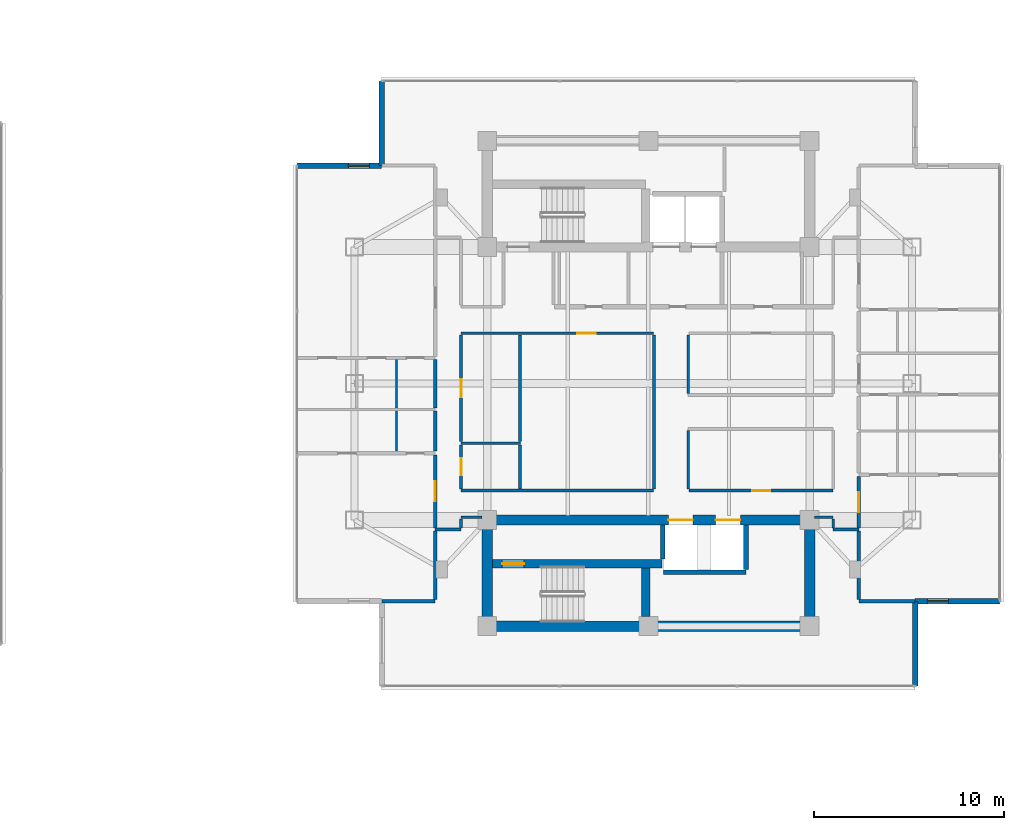
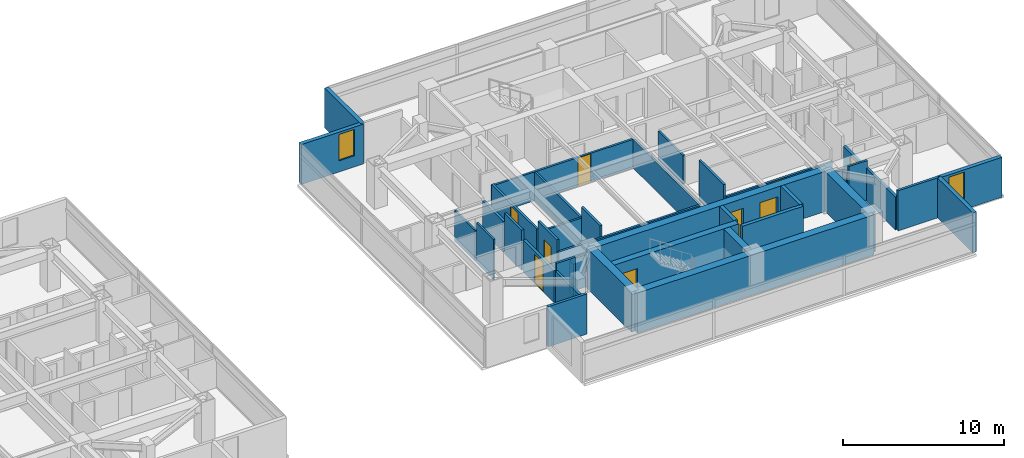
# One storey, part 16 of 25: 40 walls, 9 doors, 2 windows, 11 openings.
"""IFC4 building model written with IfcOpenShell, lengths in metres."""

from ifc_helpers import new_model, si_unit, direction, frame, frame_2d, origin, place, context, subcontext, project, spatial, rectangle, extrude, material, layer, layer_set, type_object, element, fill, save


model = new_model("IFC4")

# Units and contexts
model_context = context("Model", 3, precision=1e-05, world=origin(), true_north=direction((0.0, 1.0)))
body_context = subcontext(model_context, "Body", "Model", "MODEL_VIEW")
ifc_project = project(units=[si_unit("LENGTHUNIT", "METRE"), si_unit("AREAUNIT", "SQUARE_METRE"), si_unit("VOLUMEUNIT", "CUBIC_METRE"), si_unit("PLANEANGLEUNIT", "RADIAN"), si_unit("MASSUNIT", "GRAM", prefix="KILO")], contexts=[model_context])

# Site, building, storey
site_placement = place(None, origin())
site = spatial("IfcSite", under=ifc_project, at=site_placement, CompositionType="ELEMENT")
building_placement = place(site_placement, origin())
building = spatial("IfcBuilding", under=site, at=building_placement, Name="Mirazonda Arch Towers", CompositionType="ELEMENT")
storey_placement = place(building_placement, frame((0.0, 0.0, 180.39990234375)))
storey = spatial("IfcBuildingStorey", under=building, at=storey_placement, Name="L51", CompositionType="ELEMENT", Elevation=180.39990234375)

# Wall, opening, door
ifc_material_1 = material(Name="Concrete C50/60", Category="concrete")
ifc_layer_1 = layer(ifc_material_1, 0.449951171875, Name="WALL-CORE-450")
ifc_layer_set_1 = layer_set([ifc_layer_1], Name="Concrete C50/60")
wall_type_1 = type_object("IfcWallType", Name="WALL-CORE-450", PredefinedType="SHEAR", material=ifc_layer_set_1)
wall_1_placement = place(storey_placement, frame((68.27001953125, 18.5, 0.0), z_axis=(0.0, 0.0, 1.0), x_axis=(1.0, 0.0, 0.0)))
wall_1 = element("IfcWall", 1, at=wall_1_placement, inside=storey, type_object=wall_type_1, Name="L51 Stair Core Shear Wall 013", PredefinedType="SHEAR", context=body_context, shape_type="SweptSolid", body=[
    extrude(rectangle(XDim=8.949951171875, YDim=0.449951171875, at=frame_2d((4.47509765625, 0.0))), origin(), (0.0, 0.0, 1.0), 3.050048828125),
])
opening_1_placement = place(wall_1_placement, frame((0.52001953125, 0.0, 0.0)))
opening_1 = element("IfcOpeningElement", 2, at=opening_1_placement, cuts=wall_1, Name="Opening DR-135", PredefinedType="OPENING", context=body_context, shape_type="SweptSolid", body=[
    extrude(rectangle(XDim=1.14990234375, YDim=2.199951171875, at=frame_2d((0.574951171875, 1.10009765625))), frame((0.0, 0.23486328125, 0.0), z_axis=(0.0, -1.0, 0.0), x_axis=(1.0, 0.0, 0.0)), (0.0, 0.0, 1.0), 0.469970703125),
])
ifc_material_2 = material(Name="Architectural Brushed Steel S355", Category="steel")
door_type_1 = type_object("IfcDoorType", Name="DOOR-STAIR-FD90-1150", OperationType="NOTDEFINED", PredefinedType="DOOR", material=ifc_material_2)
door_1_placement = place(opening_1_placement, origin())
door_1 = element("IfcDoor", 3, at=door_1_placement, inside=storey, type_object=door_type_1, Name="L51 East Protected Stair South Door", OperationType="SINGLE_SWING_LEFT", OverallHeight=2.199951171875, OverallWidth=1.14990234375, PredefinedType="DOOR", context=body_context, shape_type="SweptSolid", body=[
    extrude(rectangle(XDim=1.14990234375, YDim=2.199951171875, at=frame_2d((0.574951171875, 1.10009765625))), frame((0.0, 0.02490234375, 0.0), z_axis=(0.0, -1.0, 0.0), x_axis=(1.0, 0.0, 0.0)), (0.0, 0.0, 1.0), 0.050048828125),
])
fill(opening_1, door_1)

# Walls
wall_2_placement = place(storey_placement, frame((76.360107421875, 15.715087890625, 0.0), z_axis=(0.0, 0.0, 1.0), x_axis=(0.0, 1.0, 0.0)))
element("IfcWall", 4, at=wall_2_placement, inside=storey, type_object=wall_type_1, Name="L51 Stair Core Shear Wall 140", PredefinedType="SHEAR", context=body_context, shape_type="SweptSolid", body=[
    extrude(rectangle(XDim=2.5498046875, YDim=0.449951171875, at=frame_2d((1.27490234375, 0.0))), origin(), (0.0, 0.0, 1.0), 3.050048828125),
])
ifc_layer_2 = layer(ifc_material_1, 0.550048828125, Name="WALL-CORE-550")
ifc_layer_set_2 = layer_set([ifc_layer_2], Name="Concrete C50/60")
wall_type_2 = type_object("IfcWallType", Name="WALL-CORE-550", PredefinedType="SHEAR", material=ifc_layer_set_2)
wall_3_placement = place(storey_placement, frame((68.0, 15.199951171875, 0.0), z_axis=(0.0, 0.0, 1.0), x_axis=(1.0, 0.0, 0.0)))
element("IfcWall", 5, at=wall_3_placement, inside=storey, type_object=wall_type_2, Name="L51 T2S-S Core Shear Wall", PredefinedType="SHEAR", context=body_context, shape_type="SweptSolid", body=[
    extrude(rectangle(XDim=17.0, YDim=0.550048828125, at=frame_2d((8.5, 0.0))), origin(), (0.0, 0.0, 1.0), 3.050048828125),
])
for number, where, z_axis, x_axis, name in (
    (6, (68.0, 15.199951171875, 0.0), (0.0, 0.0, 1.0), (0.0, 1.0, 0.0), "L51 T2S-W Core Shear Wall"),
    (7, (85.0, 15.199951171875, 0.0), (0.0, 0.0, 1.0), (0.0, 1.0, 0.0), "L51 T2S-E Core Shear Wall"),
):
    element("IfcWall", number, at=place(storey_placement, frame(where, z_axis=z_axis, x_axis=x_axis)), inside=storey, type_object=wall_type_2, Name=name, PredefinedType="SHEAR", context=body_context, shape_type="SweptSolid", body=[
        extrude(rectangle(XDim=5.60009765625, YDim=0.550048828125, at=frame_2d((2.800048828125, 0.0))), origin(), (0.0, 0.0, 1.0), 3.050048828125),
    ])

# Wall, openings, doors
wall_4_placement = place(storey_placement, frame((68.0, 20.800048828125, 0.0), z_axis=(0.0, 0.0, 1.0), x_axis=(1.0, 0.0, 0.0)))
wall_4 = element("IfcWall", 8, at=wall_4_placement, inside=storey, type_object=wall_type_2, Name="L51 T2S-N Core Shear Wall", PredefinedType="SHEAR", context=body_context, shape_type="SweptSolid", body=[
    extrude(rectangle(XDim=17.0, YDim=0.550048828125, at=frame_2d((8.5, 0.0))), origin(), (0.0, 0.0, 1.0), 3.050048828125),
])
opening_2_placement = place(wall_4_placement, frame((9.550048828125, 0.0, 0.0)))
opening_2 = element("IfcOpeningElement", 9, at=opening_2_placement, cuts=wall_4, Name="Opening LD-111", PredefinedType="OPENING", context=body_context, shape_type="SweptSolid", body=[
    extrude(rectangle(XDim=1.300048828125, YDim=2.300048828125, at=frame_2d((0.64990234375, 1.14990234375))), frame((0.0, 0.284912109375, 0.0), z_axis=(0.0, -1.0, 0.0), x_axis=(1.0, 0.0, 0.0)), (0.0, 0.0, 1.0), 0.570068359375),
])
opening_3_placement = place(wall_4_placement, frame((12.050048828125, 0.0, 0.0)))
opening_3 = element("IfcOpeningElement", 10, at=opening_3_placement, cuts=wall_4, Name="Opening LD-111", PredefinedType="OPENING", context=body_context, shape_type="SweptSolid", body=[
    extrude(rectangle(XDim=1.300048828125, YDim=2.300048828125, at=frame_2d((0.64990234375, 1.14990234375))), frame((0.0, 0.284912109375, 0.0), z_axis=(0.0, -1.0, 0.0), x_axis=(1.0, 0.0, 0.0)), (0.0, 0.0, 1.0), 0.570068359375),
])
door_type_2 = type_object("IfcDoorType", Name="DOOR-LIFT-LAND-1300", OperationType="NOTDEFINED", PredefinedType="DOOR", material=ifc_material_2)
door_2_placement = place(opening_2_placement, origin())
door_2 = element("IfcDoor", 11, at=door_2_placement, inside=storey, type_object=door_type_2, Name="L51 Lift Landing Sliding Door PL-T2H1", OperationType="DOUBLE_DOOR_SLIDING", OverallHeight=2.300048828125, OverallWidth=1.300048828125, PredefinedType="DOOR", context=body_context, shape_type="SweptSolid", body=[
    extrude(rectangle(XDim=1.300048828125, YDim=2.300048828125, at=frame_2d((0.64990234375, 1.14990234375))), frame((0.0, 0.02490234375, 0.0), z_axis=(0.0, -1.0, 0.0), x_axis=(1.0, 0.0, 0.0)), (0.0, 0.0, 1.0), 0.050048828125),
])
fill(opening_2, door_2)
door_3_placement = place(opening_3_placement, origin())
door_3 = element("IfcDoor", 12, at=door_3_placement, inside=storey, type_object=door_type_2, Name="L51 Lift Landing Sliding Door PL-T2H2", OperationType="DOUBLE_DOOR_SLIDING", OverallHeight=2.300048828125, OverallWidth=1.300048828125, PredefinedType="DOOR", context=body_context, shape_type="SweptSolid", body=[
    extrude(rectangle(XDim=1.300048828125, YDim=2.300048828125, at=frame_2d((0.64990234375, 1.14990234375))), frame((0.0, 0.02490234375, 0.0), z_axis=(0.0, -1.0, 0.0), x_axis=(1.0, 0.0, 0.0)), (0.0, 0.0, 1.0), 0.050048828125),
])
fill(opening_3, door_3)

# Wall, opening, window
ifc_material_3 = material(Name="Precast Concrete C40/50", Category="concrete")
ifc_layer_3 = layer(ifc_material_3, 0.280029296875, Name="WALL-EXT-WALL-280")
ifc_layer_set_3 = layer_set([ifc_layer_3], Name="Precast Concrete C40/50")
wall_type_3 = type_object("IfcWallType", Name="WALL-EXT-WALL-280", PredefinedType="SOLIDWALL", material=ifc_layer_set_3)
wall_5_placement = place(storey_placement, frame((90.5712890625, 16.50732421875, 0.0), z_axis=(0.0, 0.0, 1.0), x_axis=(1.0, 0.0, 0.0)))
wall_5 = element("IfcWall", 13, at=wall_5_placement, inside=storey, type_object=wall_type_3, Name="L51 T2 Corner Notch Return Wall WL-L51-T2-CSE1", PredefinedType="SOLIDWALL", context=body_context, shape_type="SweptSolid", body=[
    extrude(rectangle(XDim=4.46533203125, YDim=0.280029296875, at=frame_2d((2.232666015625, 0.0))), origin(), (0.0, 0.0, 1.0), 3.030029296875),
])
opening_4_placement = place(wall_5_placement, frame((0.64990234375, 0.0, 0.85009765625)))
opening_4 = element("IfcOpeningElement", 14, at=opening_4_placement, cuts=wall_5, Name="Opening WN-108", PredefinedType="OPENING", context=body_context, shape_type="SweptSolid", body=[
    extrude(rectangle(XDim=1.10009765625, YDim=2.0, at=frame_2d((0.550048828125, 1.0))), frame((0.0, 0.14990234375, 0.0), z_axis=(0.0, -1.0, 0.0), x_axis=(1.0, 0.0, 0.0)), (0.0, 0.0, 1.0), 0.300048828125),
])
ifc_material_4 = material(Name="Insulated Low-E Solar Glass", Category="glass")
window_type = type_object("IfcWindowType", Name="WIN-NOTCH-1100x2000", PartitioningType="SINGLE_PANEL", PredefinedType="WINDOW", material=ifc_material_4)
window_1_placement = place(opening_4_placement, origin())
window_1 = element("IfcWindow", 15, at=window_1_placement, inside=storey, type_object=window_type, Name="L51 Punched Facade Window WN-L51-T2-CSE1", OverallHeight=2.0, OverallWidth=1.10009765625, PartitioningType="SINGLE_PANEL", PredefinedType="WINDOW", context=body_context, shape_type="SweptSolid", body=[
    extrude(rectangle(XDim=1.10009765625, YDim=2.0, at=frame_2d((0.550048828125, 1.0))), frame((0.0, 0.030029296875, 0.0), z_axis=(0.0, -1.0, 0.0), x_axis=(1.0, 0.0, 0.0)), (0.0, 0.0, 1.0), 0.06005859375),
])
fill(opening_4, window_1)

# Wall
wall_6_placement = place(storey_placement, frame((90.5712890625, 12.0419921875, 0.0), z_axis=(0.0, 0.0, 1.0), x_axis=(0.0, 1.0, 0.0)))
element("IfcWall", 16, at=wall_6_placement, inside=storey, type_object=wall_type_3, Name="L51 T2 Corner Notch Return Wall WL-L51-T2-CSE2", PredefinedType="SOLIDWALL", context=body_context, shape_type="SweptSolid", body=[
    extrude(rectangle(XDim=4.46533203125, YDim=0.280029296875, at=frame_2d((2.232666015625, 0.0))), origin(), (0.0, 0.0, 1.0), 3.030029296875),
])

# Wall, opening, window
wall_7_placement = place(storey_placement, frame((62.4287109375, 39.49267578125, 0.0), z_axis=(0.0, 0.0, 1.0), x_axis=(-1.0, 0.0, 0.0)))
wall_7 = element("IfcWall", 17, at=wall_7_placement, inside=storey, type_object=wall_type_3, Name="L51 T2 Corner Notch Return Wall WL-L51-T2-CNW1", PredefinedType="SOLIDWALL", context=body_context, shape_type="SweptSolid", body=[
    extrude(rectangle(XDim=4.46533203125, YDim=0.280029296875, at=frame_2d((2.232666015625, 0.0))), origin(), (0.0, 0.0, 1.0), 3.030029296875),
])
opening_5_placement = place(wall_7_placement, frame((0.64990234375, 0.0, 0.85009765625)))
opening_5 = element("IfcOpeningElement", 18, at=opening_5_placement, cuts=wall_7, Name="Opening WN-108", PredefinedType="OPENING", context=body_context, shape_type="SweptSolid", body=[
    extrude(rectangle(XDim=1.10009765625, YDim=2.0, at=frame_2d((0.550048828125, 1.0))), frame((0.0, 0.14990234375, 0.0), z_axis=(0.0, -1.0, 0.0), x_axis=(1.0, 0.0, 0.0)), (0.0, 0.0, 1.0), 0.300048828125),
])
window_2_placement = place(opening_5_placement, origin())
window_2 = element("IfcWindow", 19, at=window_2_placement, inside=storey, type_object=window_type, Name="L51 Punched Facade Window WN-L51-T2-CNW1", OverallHeight=2.0, OverallWidth=1.10009765625, PartitioningType="SINGLE_PANEL", PredefinedType="WINDOW", context=body_context, shape_type="SweptSolid", body=[
    extrude(rectangle(XDim=1.10009765625, YDim=2.0, at=frame_2d((0.550048828125, 1.0))), frame((0.0, 0.030029296875, 0.0), z_axis=(0.0, -1.0, 0.0), x_axis=(1.0, 0.0, 0.0)), (0.0, 0.0, 1.0), 0.06005859375),
])
fill(opening_5, window_2)

# Walls
wall_8_placement = place(storey_placement, frame((62.4287109375, 43.9580078125, 0.0), z_axis=(0.0, 0.0, 1.0), x_axis=(0.0, -1.0, 0.0)))
element("IfcWall", 20, at=wall_8_placement, inside=storey, type_object=wall_type_3, Name="L51 T2 Corner Notch Return Wall WL-L51-T2-CNW2", PredefinedType="SOLIDWALL", context=body_context, shape_type="SweptSolid", body=[
    extrude(rectangle(XDim=4.46533203125, YDim=0.280029296875, at=frame_2d((2.232666015625, 0.0))), origin(), (0.0, 0.0, 1.0), 3.030029296875),
])
ifc_material_5 = material(Name="Fire-Rated Gypsum Stud Partition")
ifc_layer_4 = layer(ifc_material_5, 0.14990234375, Name="WALL-PART-CORR-150")
ifc_layer_set_4 = layer_set([ifc_layer_4], Name="Fire-Rated Gypsum Stud Partition")
wall_type_4 = type_object("IfcWallType", Name="WALL-PART-CORR-150", PredefinedType="PARTITIONING", material=ifc_layer_set_4)
wall_9_placement = place(storey_placement, frame((65.25, 20.300048828125, 0.0), z_axis=(0.0, 0.0, 1.0), x_axis=(1.0, 0.0, 0.0)))
element("IfcWall", 21, at=wall_9_placement, inside=storey, type_object=wall_type_4, Name="L51 Interior Partition 016", PredefinedType="PARTITIONING", context=body_context, shape_type="SweptSolid", body=[
    extrude(rectangle(XDim=1.3701171875, YDim=0.14990234375, at=frame_2d((0.68505859375, 0.0))), origin(), (0.0, 0.0, 1.0), 3.050048828125),
])
wall_10_placement = place(storey_placement, frame((86.25, 20.300048828125, 0.0), z_axis=(0.0, 0.0, 1.0), x_axis=(1.0, 0.0, 0.0)))
element("IfcWall", 22, at=wall_10_placement, inside=storey, type_object=wall_type_4, Name="L51 Interior Partition 017", PredefinedType="PARTITIONING", context=body_context, shape_type="SweptSolid", body=[
    extrude(rectangle(XDim=1.35009765625, YDim=0.14990234375, at=frame_2d((0.675048828125, 0.0))), origin(), (0.0, 0.0, 1.0), 3.050048828125),
])
wall_11_placement = place(storey_placement, frame((66.6201171875, 20.949951171875, 0.0), z_axis=(0.0, 0.0, 1.0), x_axis=(1.0, 0.0, 0.0)))
element("IfcWall", 23, at=wall_11_placement, inside=storey, type_object=wall_type_4, Name="L51 Interior Partition 018", PredefinedType="PARTITIONING", context=body_context, shape_type="SweptSolid", body=[
    extrude(rectangle(XDim=1.10986328125, YDim=0.14990234375, at=frame_2d((0.554931640625, 0.0))), origin(), (0.0, 0.0, 1.0), 2.442138671875),
])
wall_12_placement = place(storey_placement, frame((85.27001953125, 20.949951171875, 0.0), z_axis=(0.0, 0.0, 1.0), x_axis=(1.0, 0.0, 0.0)))
element("IfcWall", 24, at=wall_12_placement, inside=storey, type_object=wall_type_4, Name="L51 Interior Partition 019", PredefinedType="PARTITIONING", context=body_context, shape_type="SweptSolid", body=[
    extrude(rectangle(XDim=0.97998046875, YDim=0.14990234375, at=frame_2d((0.489990234375, 0.0))), origin(), (0.0, 0.0, 1.0), 2.442138671875),
])
wall_13_placement = place(storey_placement, frame((66.6201171875, 22.35009765625, 0.0), z_axis=(0.0, 0.0, 1.0), x_axis=(1.0, 0.0, 0.0)))
element("IfcWall", 25, at=wall_13_placement, inside=storey, type_object=wall_type_4, Name="L51 Interior Partition 021", PredefinedType="PARTITIONING", context=body_context, shape_type="SweptSolid", body=[
    extrude(rectangle(XDim=10.139892578125, YDim=0.14990234375, at=frame_2d((5.06982421875, 0.0))), origin(), (0.0, 0.0, 1.0), 2.18603515625),
])

# Wall, opening, door
wall_14_placement = place(storey_placement, frame((78.639892578125, 22.35009765625, 0.0), z_axis=(0.0, 0.0, 1.0), x_axis=(1.0, 0.0, 0.0)))
wall_14 = element("IfcWall", 26, at=wall_14_placement, inside=storey, type_object=wall_type_4, Name="L51 Interior Partition 022", PredefinedType="PARTITIONING", context=body_context, shape_type="SweptSolid", body=[
    extrude(rectangle(XDim=7.610107421875, YDim=0.14990234375, at=frame_2d((3.80517578125, 0.0))), origin(), (0.0, 0.0, 1.0), 2.18603515625),
])
opening_6_placement = place(wall_14_placement, frame((3.330078125, 0.0, 0.0)))
opening_6 = element("IfcOpeningElement", 27, at=opening_6_placement, cuts=wall_14, Name="Opening DR-104", PredefinedType="OPENING", context=body_context, shape_type="SweptSolid", body=[
    extrude(rectangle(XDim=0.949951171875, YDim=2.14990234375, at=frame_2d((0.47509765625, 1.074951171875))), frame((0.0, 0.0849609375, 0.0), z_axis=(0.0, -1.0, 0.0), x_axis=(1.0, 0.0, 0.0)), (0.0, 0.0, 1.0), 0.169921875),
])
door_type_3 = type_object("IfcDoorType", Name="DOOR-ROOM-950", OperationType="NOTDEFINED", PredefinedType="DOOR", material=ifc_material_2)
door_4_placement = place(opening_6_placement, origin())
door_4 = element("IfcDoor", 28, at=door_4_placement, inside=storey, type_object=door_type_3, Name="L51 L51 Tower 2 South-East Salon Door", OperationType="SINGLE_SWING_LEFT", OverallHeight=2.14990234375, OverallWidth=0.949951171875, PredefinedType="DOOR", context=body_context, shape_type="SweptSolid", body=[
    extrude(rectangle(XDim=0.949951171875, YDim=2.14990234375, at=frame_2d((0.47509765625, 1.074951171875))), frame((0.0, 0.02490234375, 0.0), z_axis=(0.0, -1.0, 0.0), x_axis=(1.0, 0.0, 0.0)), (0.0, 0.0, 1.0), 0.050048828125),
])
fill(opening_6, door_4)

# Wall
wall_15_placement = place(storey_placement, frame((66.6201171875, 24.85009765625, 0.0), z_axis=(0.0, 0.0, 1.0), x_axis=(1.0, 0.0, 0.0)))
element("IfcWall", 29, at=wall_15_placement, inside=storey, type_object=wall_type_4, Name="L51 Interior Partition 027", PredefinedType="PARTITIONING", context=body_context, shape_type="SweptSolid", body=[
    extrude(rectangle(XDim=3.1298828125, YDim=0.14990234375, at=frame_2d((1.56494140625, 0.0))), origin(), (0.0, 0.0, 1.0), 2.18603515625),
])

# Wall, opening, door
wall_16_placement = place(storey_placement, frame((66.6201171875, 30.64990234375, 0.0), z_axis=(0.0, 0.0, 1.0), x_axis=(1.0, 0.0, 0.0)))
wall_16 = element("IfcWall", 30, at=wall_16_placement, inside=storey, type_object=wall_type_4, Name="L51 Interior Partition 039", PredefinedType="PARTITIONING", context=body_context, shape_type="SweptSolid", body=[
    extrude(rectangle(XDim=10.139892578125, YDim=0.14990234375, at=frame_2d((5.06982421875, 0.0))), origin(), (0.0, 0.0, 1.0), 2.18603515625),
])
opening_7_placement = place(wall_16_placement, frame((6.139892578125, 0.0, 0.0)))
opening_7 = element("IfcOpeningElement", 31, at=opening_7_placement, cuts=wall_16, Name="Opening DR-104", PredefinedType="OPENING", context=body_context, shape_type="SweptSolid", body=[
    extrude(rectangle(XDim=0.949951171875, YDim=2.14990234375, at=frame_2d((0.47509765625, 1.074951171875))), frame((0.0, 0.0849609375, 0.0), z_axis=(0.0, -1.0, 0.0), x_axis=(1.0, 0.0, 0.0)), (0.0, 0.0, 1.0), 0.169921875),
])
door_5_placement = place(opening_7_placement, origin())
door_5 = element("IfcDoor", 32, at=door_5_placement, inside=storey, type_object=door_type_3, Name="L51 L51 East Courtyard Study Door", OperationType="SINGLE_SWING_RIGHT", OverallHeight=2.14990234375, OverallWidth=0.949951171875, PredefinedType="DOOR", context=body_context, shape_type="SweptSolid", body=[
    extrude(rectangle(XDim=0.949951171875, YDim=2.14990234375, at=frame_2d((0.47509765625, 1.074951171875))), frame((0.0, 0.02490234375, 0.0), z_axis=(0.0, -1.0, 0.0), x_axis=(1.0, 0.0, 0.0)), (0.0, 0.0, 1.0), 0.050048828125),
])
fill(opening_7, door_5)

# Wall
wall_17_placement = place(storey_placement, frame((66.6201171875, 20.385009765625, 0.0), z_axis=(0.0, 0.0, 1.0), x_axis=(0.0, 1.0, 0.0)))
element("IfcWall", 33, at=wall_17_placement, inside=storey, type_object=wall_type_4, Name="L51 Interior Partition 130", PredefinedType="PARTITIONING", context=body_context, shape_type="SweptSolid", body=[
    extrude(rectangle(XDim=0.47998046875, YDim=0.14990234375, at=frame_2d((0.239990234375, 0.0))), origin(), (0.0, 0.0, 1.0), 2.442138671875),
])

# Wall, opening, door
wall_18_placement = place(storey_placement, frame((66.6201171875, 22.43505859375, 0.0), z_axis=(0.0, 0.0, 1.0), x_axis=(0.0, 1.0, 0.0)))
wall_18 = element("IfcWall", 34, at=wall_18_placement, inside=storey, type_object=wall_type_4, Name="L51 Interior Partition 131", PredefinedType="PARTITIONING", context=body_context, shape_type="SweptSolid", body=[
    extrude(rectangle(XDim=2.329833984375, YDim=0.14990234375, at=frame_2d((1.1650390625, 0.0))), origin(), (0.0, 0.0, 1.0), 3.050048828125),
])
opening_8_placement = place(wall_18_placement, frame((0.715087890625, 0.0, 0.0)))
opening_8 = element("IfcOpeningElement", 35, at=opening_8_placement, cuts=wall_18, Name="Opening DR-120", PredefinedType="OPENING", context=body_context, shape_type="SweptSolid", body=[
    extrude(rectangle(XDim=0.89990234375, YDim=2.10009765625, at=frame_2d((0.449951171875, 1.050048828125))), frame((0.0, 0.0849609375, 0.0), z_axis=(0.0, -1.0, 0.0), x_axis=(1.0, 0.0, 0.0)), (0.0, 0.0, 1.0), 0.169921875),
])
door_type_4 = type_object("IfcDoorType", Name="DOOR-WC-900", OperationType="NOTDEFINED", PredefinedType="DOOR", material=ifc_material_2)
door_6_placement = place(opening_8_placement, origin())
door_6 = element("IfcDoor", 36, at=door_6_placement, inside=storey, type_object=door_type_4, Name="L51 Tower 2 Common Accessible WC Door", OperationType="SINGLE_SWING_RIGHT", OverallHeight=2.10009765625, OverallWidth=0.89990234375, PredefinedType="DOOR", context=body_context, shape_type="SweptSolid", body=[
    extrude(rectangle(XDim=0.89990234375, YDim=2.10009765625, at=frame_2d((0.449951171875, 1.050048828125))), frame((0.0, 0.02490234375, 0.0), z_axis=(0.0, -1.0, 0.0), x_axis=(1.0, 0.0, 0.0)), (0.0, 0.0, 1.0), 0.050048828125),
])
fill(opening_8, door_6)

wall_19_placement = place(storey_placement, frame((66.6201171875, 24.93505859375, 0.0), z_axis=(0.0, 0.0, 1.0), x_axis=(0.0, 1.0, 0.0)))
wall_19 = element("IfcWall", 37, at=wall_19_placement, inside=storey, type_object=wall_type_4, Name="L51 Interior Partition 132", PredefinedType="PARTITIONING", context=body_context, shape_type="SweptSolid", body=[
    extrude(rectangle(XDim=5.6298828125, YDim=0.14990234375, at=frame_2d((2.81494140625, 0.0))), origin(), (0.0, 0.0, 1.0), 2.34619140625),
])
opening_9_placement = place(wall_19_placement, frame((2.340087890625, 0.0, 0.0)))
opening_9 = element("IfcOpeningElement", 38, at=opening_9_placement, cuts=wall_19, Name="Opening DR-104", PredefinedType="OPENING", context=body_context, shape_type="SweptSolid", body=[
    extrude(rectangle(XDim=0.949951171875, YDim=2.14990234375, at=frame_2d((0.47509765625, 1.074951171875))), frame((0.0, 0.0849609375, 0.0), z_axis=(0.0, -1.0, 0.0), x_axis=(1.0, 0.0, 0.0)), (0.0, 0.0, 1.0), 0.169921875),
])
door_7_placement = place(opening_9_placement, origin())
door_7 = element("IfcDoor", 39, at=door_7_placement, inside=storey, type_object=door_type_3, Name="L51 L51 East Courtyard Reading Study Door", OperationType="SINGLE_SWING_LEFT", OverallHeight=2.14990234375, OverallWidth=0.949951171875, PredefinedType="DOOR", context=body_context, shape_type="SweptSolid", body=[
    extrude(rectangle(XDim=0.949951171875, YDim=2.14990234375, at=frame_2d((0.47509765625, 1.074951171875))), frame((0.0, 0.02490234375, 0.0), z_axis=(0.0, -1.0, 0.0), x_axis=(1.0, 0.0, 0.0)), (0.0, 0.0, 1.0), 0.050048828125),
])
fill(opening_9, door_7)

# Walls
wall_20_placement = place(storey_placement, frame((69.723388671875, 22.43505859375, 0.0), z_axis=(0.0, 0.0, 1.0), x_axis=(0.0, 1.0, 0.0)))
element("IfcWall", 40, at=wall_20_placement, inside=storey, type_object=wall_type_4, Name="L51 Interior Partition 135", PredefinedType="PARTITIONING", context=body_context, shape_type="SweptSolid", body=[
    extrude(rectangle(XDim=2.329833984375, YDim=0.14990234375, at=frame_2d((1.1650390625, 0.0))), origin(), (0.0, 0.0, 1.0), 3.050048828125),
])
wall_21_placement = place(storey_placement, frame((69.723388671875, 24.93505859375, 0.0), z_axis=(0.0, 0.0, 1.0), x_axis=(0.0, 1.0, 0.0)))
element("IfcWall", 41, at=wall_21_placement, inside=storey, type_object=wall_type_4, Name="L51 Interior Partition 136", PredefinedType="PARTITIONING", context=body_context, shape_type="SweptSolid", body=[
    extrude(rectangle(XDim=5.6298828125, YDim=0.14990234375, at=frame_2d((2.81494140625, 0.0))), origin(), (0.0, 0.0, 1.0), 2.18603515625),
])
wall_22_placement = place(storey_placement, frame((76.800048828125, 22.43505859375, 0.0), z_axis=(0.0, 0.0, 1.0), x_axis=(0.0, 1.0, 0.0)))
element("IfcWall", 42, at=wall_22_placement, inside=storey, type_object=wall_type_4, Name="L51 Interior Partition 142", PredefinedType="PARTITIONING", context=body_context, shape_type="SweptSolid", body=[
    extrude(rectangle(XDim=8.1298828125, YDim=0.14990234375, at=frame_2d((4.06494140625, 0.0))), origin(), (0.0, 0.0, 1.0), 2.18603515625),
])
wall_23_placement = place(storey_placement, frame((78.60009765625, 22.43505859375, 0.0), z_axis=(0.0, 0.0, 1.0), x_axis=(0.0, 1.0, 0.0)))
element("IfcWall", 43, at=wall_23_placement, inside=storey, type_object=wall_type_4, Name="L51 Interior Partition 144", PredefinedType="PARTITIONING", context=body_context, shape_type="SweptSolid", body=[
    extrude(rectangle(XDim=3.079833984375, YDim=0.14990234375, at=frame_2d((1.5400390625, 0.0))), origin(), (0.0, 0.0, 1.0), 3.050048828125),
])
wall_24_placement = place(storey_placement, frame((78.60009765625, 27.485107421875, 0.0), z_axis=(0.0, 0.0, 1.0), x_axis=(0.0, 1.0, 0.0)))
element("IfcWall", 44, at=wall_24_placement, inside=storey, type_object=wall_type_4, Name="L51 Interior Partition 145", PredefinedType="PARTITIONING", context=body_context, shape_type="SweptSolid", body=[
    extrude(rectangle(XDim=3.079833984375, YDim=0.14990234375, at=frame_2d((1.5400390625, 0.0))), origin(), (0.0, 0.0, 1.0), 2.18603515625),
])
wall_25_placement = place(storey_placement, frame((86.25, 20.385009765625, 0.0), z_axis=(0.0, 0.0, 1.0), x_axis=(0.0, 1.0, 0.0)))
element("IfcWall", 45, at=wall_25_placement, inside=storey, type_object=wall_type_4, Name="L51 Interior Partition 151", PredefinedType="PARTITIONING", context=body_context, shape_type="SweptSolid", body=[
    extrude(rectangle(XDim=0.47998046875, YDim=0.14990234375, at=frame_2d((0.239990234375, 0.0))), origin(), (0.0, 0.0, 1.0), 2.442138671875),
])
ifc_material_6 = material(Name="Fire-Rated Gypsum Twin-Stud Assembly")
ifc_layer_5 = layer(ifc_material_6, 0.179931640625, Name="WALL-PART-DEMISE-180")
ifc_layer_set_5 = layer_set([ifc_layer_5], Name="Fire-Rated Gypsum Twin-Stud Assembly")
wall_type_5 = type_object("IfcWallType", Name="WALL-PART-DEMISE-180", PredefinedType="PARTITIONING", material=ifc_layer_set_5)
wall_26_placement = place(storey_placement, frame((62.44873046875, 16.507080078125, 0.0), z_axis=(0.0, 0.0, 1.0), x_axis=(1.0, 0.0, 0.0)))
element("IfcWall", 46, at=wall_26_placement, inside=storey, type_object=wall_type_5, Name="L51 Interior Partition 008", PredefinedType="PARTITIONING", context=body_context, shape_type="SweptSolid", body=[
    extrude(rectangle(XDim=2.80126953125, YDim=0.179931640625, at=frame_2d((1.400634765625, 0.0))), origin(), (0.0, 0.0, 1.0), 3.050048828125),
])
wall_27_placement = place(storey_placement, frame((87.60009765625, 16.507080078125, 0.0), z_axis=(0.0, 0.0, 1.0), x_axis=(1.0, 0.0, 0.0)))
element("IfcWall", 47, at=wall_27_placement, inside=storey, type_object=wall_type_5, Name="L51 Interior Partition 009", PredefinedType="PARTITIONING", context=body_context, shape_type="SweptSolid", body=[
    extrude(rectangle(XDim=2.951171875, YDim=0.179931640625, at=frame_2d((1.4755859375, 0.0))), origin(), (0.0, 0.0, 1.0), 3.050048828125),
])
wall_28_placement = place(storey_placement, frame((65.25, 16.60693359375, 0.0), z_axis=(0.0, 0.0, 1.0), x_axis=(0.0, 1.0, 0.0)))
element("IfcWall", 48, at=wall_28_placement, inside=storey, type_object=wall_type_5, Name="L51 Interior Partition 124", PredefinedType="PARTITIONING", context=body_context, shape_type="SweptSolid", body=[
    extrude(rectangle(XDim=3.608154296875, YDim=0.179931640625, at=frame_2d((1.80419921875, 0.0))), origin(), (0.0, 0.0, 1.0), 2.4931640625),
])

# Wall, opening, door
wall_29_placement = place(storey_placement, frame((65.25, 20.385009765625, 0.0), z_axis=(0.0, 0.0, 1.0), x_axis=(0.0, 1.0, 0.0)))
wall_29 = element("IfcWall", 49, at=wall_29_placement, inside=storey, type_object=wall_type_5, Name="L51 Interior Partition 125", PredefinedType="PARTITIONING", context=body_context, shape_type="SweptSolid", body=[
    extrude(rectangle(XDim=3.846923828125, YDim=0.179931640625, at=frame_2d((1.92333984375, 0.0))), origin(), (0.0, 0.0, 1.0), 2.442138671875),
])
opening_10_placement = place(wall_29_placement, frame((1.3984375, 0.0, 0.0)))
opening_10 = element("IfcOpeningElement", 50, at=opening_10_placement, cuts=wall_29, Name="Opening DR-121", PredefinedType="OPENING", context=body_context, shape_type="SweptSolid", body=[
    extrude(rectangle(XDim=1.050048828125, YDim=2.199951171875, at=frame_2d((0.52490234375, 1.10009765625))), frame((0.0, 0.099853515625, 0.0), z_axis=(0.0, -1.0, 0.0), x_axis=(1.0, 0.0, 0.0)), (0.0, 0.0, 1.0), 0.199951171875),
])
door_type_5 = type_object("IfcDoorType", Name="DOOR-SUITE-FD60-1050", OperationType="NOTDEFINED", PredefinedType="DOOR", material=ifc_material_2)
door_8_placement = place(opening_10_placement, origin())
door_8 = element("IfcDoor", 51, at=door_8_placement, inside=storey, type_object=door_type_5, Name="L51 Studio Apartment 1 Living Salon Door", OperationType="SINGLE_SWING_LEFT", OverallHeight=2.199951171875, OverallWidth=1.050048828125, PredefinedType="DOOR", context=body_context, shape_type="SweptSolid", body=[
    extrude(rectangle(XDim=1.050048828125, YDim=2.199951171875, at=frame_2d((0.52490234375, 1.10009765625))), frame((0.0, 0.02490234375, 0.0), z_axis=(0.0, -1.0, 0.0), x_axis=(1.0, 0.0, 0.0)), (0.0, 0.0, 1.0), 0.050048828125),
])
fill(opening_10, door_8)

# Walls
wall_30_placement = place(storey_placement, frame((65.25, 24.431884765625, 0.0), z_axis=(0.0, 0.0, 1.0), x_axis=(0.0, 1.0, 0.0)))
element("IfcWall", 52, at=wall_30_placement, inside=storey, type_object=wall_type_5, Name="L51 Interior Partition 126", PredefinedType="PARTITIONING", context=body_context, shape_type="SweptSolid", body=[
    extrude(rectangle(XDim=2.127685546875, YDim=0.179931640625, at=frame_2d((1.06396484375, 0.0))), origin(), (0.0, 0.0, 1.0), 3.050048828125),
])
wall_31_placement = place(storey_placement, frame((65.25, 26.70458984375, 0.0), z_axis=(0.0, 0.0, 1.0), x_axis=(0.0, 1.0, 0.0)))
element("IfcWall", 53, at=wall_31_placement, inside=storey, type_object=wall_type_5, Name="L51 Interior Partition 127", PredefinedType="PARTITIONING", context=body_context, shape_type="SweptSolid", body=[
    extrude(rectangle(XDim=2.5625, YDim=0.179931640625, at=frame_2d((1.28125, 0.0))), origin(), (0.0, 0.0, 1.0), 2.34619140625),
])
wall_32_placement = place(storey_placement, frame((87.60009765625, 16.60693359375, 0.0), z_axis=(0.0, 0.0, 1.0), x_axis=(0.0, 1.0, 0.0)))
element("IfcWall", 54, at=wall_32_placement, inside=storey, type_object=wall_type_5, Name="L51 Interior Partition 155", PredefinedType="PARTITIONING", context=body_context, shape_type="SweptSolid", body=[
    extrude(rectangle(XDim=3.608154296875, YDim=0.179931640625, at=frame_2d((1.80419921875, 0.0))), origin(), (0.0, 0.0, 1.0), 2.4931640625),
])

# Wall, opening, door
wall_33_placement = place(storey_placement, frame((87.60009765625, 20.385009765625, 0.0), z_axis=(0.0, 0.0, 1.0), x_axis=(0.0, 1.0, 0.0)))
wall_33 = element("IfcWall", 55, at=wall_33_placement, inside=storey, type_object=wall_type_5, Name="L51 Interior Partition 156", PredefinedType="PARTITIONING", context=body_context, shape_type="SweptSolid", body=[
    extrude(rectangle(XDim=2.70703125, YDim=0.179931640625, at=frame_2d((1.353515625, 0.0))), origin(), (0.0, 0.0, 1.0), 2.442138671875),
])
opening_11_placement = place(wall_33_placement, frame((0.82861328125, 0.0, 0.0)))
opening_11 = element("IfcOpeningElement", 56, at=opening_11_placement, cuts=wall_33, Name="Opening DR-121", PredefinedType="OPENING", context=body_context, shape_type="SweptSolid", body=[
    extrude(rectangle(XDim=1.050048828125, YDim=2.199951171875, at=frame_2d((0.52490234375, 1.10009765625))), frame((0.0, 0.099853515625, 0.0), z_axis=(0.0, -1.0, 0.0), x_axis=(1.0, 0.0, 0.0)), (0.0, 0.0, 1.0), 0.199951171875),
])
door_9_placement = place(opening_11_placement, origin())
door_9 = element("IfcDoor", 57, at=door_9_placement, inside=storey, type_object=door_type_5, Name="L51 Studio Apartment 1 Living Salon Door", OperationType="SINGLE_SWING_RIGHT", OverallHeight=2.199951171875, OverallWidth=1.050048828125, PredefinedType="DOOR", context=body_context, shape_type="SweptSolid", body=[
    extrude(rectangle(XDim=1.050048828125, YDim=2.199951171875, at=frame_2d((0.52490234375, 1.10009765625))), frame((0.0, 0.02490234375, 0.0), z_axis=(0.0, -1.0, 0.0), x_axis=(1.0, 0.0, 0.0)), (0.0, 0.0, 1.0), 0.050048828125),
])
fill(opening_11, door_9)

# Walls
ifc_material_7 = material(Name="Acoustic Fire-Rated Gypsum Partition")
ifc_layer_6 = layer(ifc_material_7, 0.125, Name="WALL-PART-UNIT-125")
ifc_layer_set_6 = layer_set([ifc_layer_6], Name="Acoustic Fire-Rated Gypsum Partition")
wall_type_6 = type_object("IfcWallType", Name="WALL-PART-UNIT-125", PredefinedType="PARTITIONING", material=ifc_layer_set_6)
wall_34_placement = place(storey_placement, frame((63.2099609375, 24.431884765625, 0.0), z_axis=(0.0, 0.0, 1.0), x_axis=(0.0, 1.0, 0.0)))
element("IfcWall", 58, at=wall_34_placement, inside=storey, type_object=wall_type_6, Name="L51 Interior Partition 122", PredefinedType="PARTITIONING", context=body_context, shape_type="SweptSolid", body=[
    extrude(rectangle(XDim=2.127685546875, YDim=0.125, at=frame_2d((1.06396484375, 0.0))), origin(), (0.0, 0.0, 1.0), 3.050048828125),
])
wall_35_placement = place(storey_placement, frame((63.2099609375, 26.70458984375, 0.0), z_axis=(0.0, 0.0, 1.0), x_axis=(0.0, 1.0, 0.0)))
element("IfcWall", 59, at=wall_35_placement, inside=storey, type_object=wall_type_6, Name="L51 Interior Partition 123", PredefinedType="PARTITIONING", context=body_context, shape_type="SweptSolid", body=[
    extrude(rectangle(XDim=2.5625, YDim=0.125, at=frame_2d((1.28125, 0.0))), origin(), (0.0, 0.0, 1.0), 2.34619140625),
])
ifc_material_8 = material(Name="Concrete C40/50", Category="concrete")
ifc_layer_7 = layer(ifc_material_8, 0.25, Name="WALL-SHAFT-250")
ifc_layer_set_7 = layer_set([ifc_layer_7], Name="Concrete C40/50")
wall_type_7 = type_object("IfcWallType", Name="WALL-SHAFT-250", PredefinedType="SOLIDWALL", material=ifc_layer_set_7)
wall_36_placement = place(storey_placement, frame((77.300048828125, 18.050048828125, 0.0), z_axis=(0.0, 0.0, 1.0), x_axis=(1.0, 0.0, 0.0)))
element("IfcWall", 60, at=wall_36_placement, inside=storey, type_object=wall_type_7, Name="L51 Interior Partition 010", PredefinedType="SOLIDWALL", context=body_context, shape_type="SweptSolid", body=[
    extrude(rectangle(XDim=4.349853515625, YDim=0.25, at=frame_2d((2.1748046875, 0.0))), origin(), (0.0, 0.0, 1.0), 3.050048828125),
])
wall_37_placement = place(storey_placement, frame((77.260009765625, 18.735107421875, 0.0), z_axis=(0.0, 0.0, 1.0), x_axis=(0.0, 1.0, 0.0)))
element("IfcWall", 61, at=wall_37_placement, inside=storey, type_object=wall_type_7, Name="L51 Interior Partition 143", PredefinedType="SOLIDWALL", context=body_context, shape_type="SweptSolid", body=[
    extrude(rectangle(XDim=1.794921875, YDim=0.25, at=frame_2d((0.8974609375, 0.0))), origin(), (0.0, 0.0, 1.0), 3.050048828125),
])
wall_38_placement = place(storey_placement, frame((81.64990234375, 18.18505859375, 0.0), z_axis=(0.0, 0.0, 1.0), x_axis=(0.0, 1.0, 0.0)))
element("IfcWall", 62, at=wall_38_placement, inside=storey, type_object=wall_type_7, Name="L51 Interior Partition 149", PredefinedType="SOLIDWALL", context=body_context, shape_type="SweptSolid", body=[
    extrude(rectangle(XDim=2.344970703125, YDim=0.25, at=frame_2d((1.17236328125, 0.0))), origin(), (0.0, 0.0, 1.0), 3.050048828125),
])

save(model, "model.ifc")
